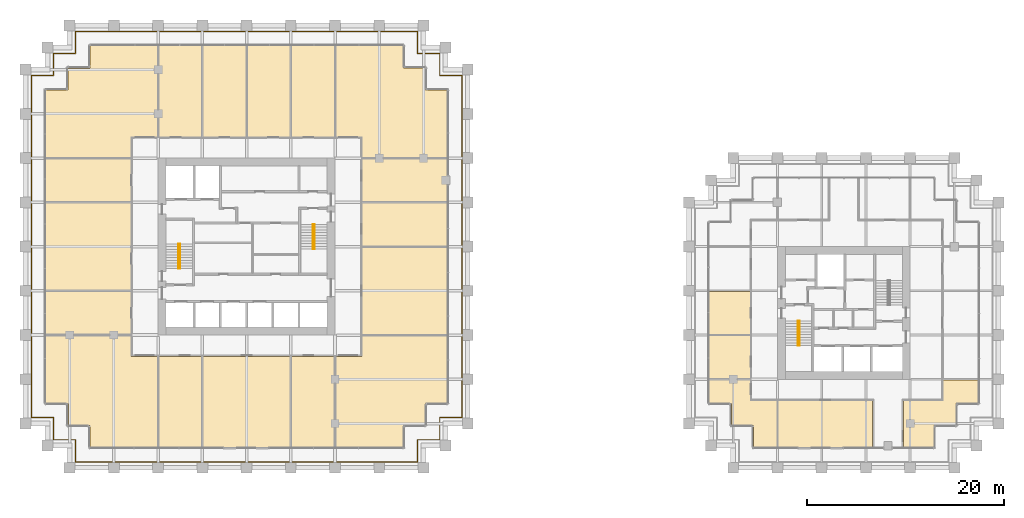
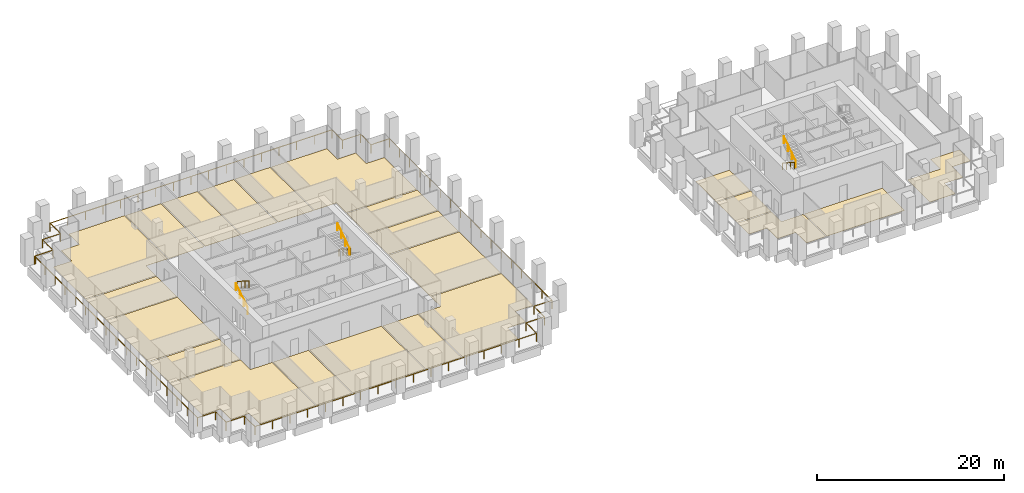
# One storey, part 55 of 56: 22 coverings, 7 railings.
"""IFC4 building model written with IfcOpenShell, lengths in metres."""

from ifc_helpers import new_model, si_unit, direction, frame, origin, origin_2d, place, context, subcontext, project, spatial, polyline, circle, outline, extrude, source, transform, mapped, material, layer, layer_set, type_object, element, save


model = new_model("IFC4")

# Units and contexts
model_context = context("Model", 3, precision=1e-05, world=origin(), true_north=direction((0.0, 1.0)))
body_context = subcontext(model_context, "Body", "Model", "MODEL_VIEW")
ifc_project = project(units=[si_unit("LENGTHUNIT", "METRE"), si_unit("AREAUNIT", "SQUARE_METRE"), si_unit("VOLUMEUNIT", "CUBIC_METRE"), si_unit("PLANEANGLEUNIT", "RADIAN"), si_unit("MASSUNIT", "GRAM", prefix="KILO")], contexts=[model_context])

# Site, building, storey
site_placement = place(None, origin())
site = spatial("IfcSite", under=ifc_project, at=site_placement, CompositionType="ELEMENT")
building_placement = place(site_placement, origin())
building = spatial("IfcBuilding", under=site, at=building_placement, Name="Altepetl Exchange Towers", CompositionType="ELEMENT")
storey_placement = place(building_placement, frame((0.0, 0.0, 54.60009765625)))
storey = spatial("IfcBuildingStorey", under=building, at=storey_placement, Name="L12", CompositionType="ELEMENT", Elevation=54.60009765625)

# Coverings
ifc_material_1 = material(Name="Carpet tile")
ifc_layer_1 = layer(ifc_material_1, 0.02001953125)
ifc_layer_set_1 = layer_set([ifc_layer_1], Name="Carpet tile")
covering_type_1 = type_object("IfcCoveringType", Name="Carpet tile floor", PredefinedType="FLOORING", material=ifc_layer_set_1)
covering_1_placement = place(storey_placement, origin())
element("IfcCovering", 1, at=covering_1_placement, inside=storey, type_object=covering_type_1, Name="Print room floor finish A12.01", PredefinedType="FLOORING", context=body_context, shape_type="SweptSolid", body=[
    extrude(outline(polyline([(37.737548828125, 44.9375), (29.0625, 44.9375), (29.0625, 40.5625), (37.737548828125, 40.5625), (37.737548828125, 44.9375)])), origin(), (0.0, 0.0, 1.0), 0.02001953125),
])
covering_2_placement = place(storey_placement, origin())
element("IfcCovering", 2, at=covering_2_placement, inside=storey, type_object=covering_type_1, Name="Open office floor finish A12.05", PredefinedType="FLOORING", context=body_context, shape_type="SweptSolid", body=[
    extrude(outline(polyline([(58.4375, 29.0625), (58.4375, 38.33740234375), (54.0625, 38.33740234375), (54.0625, 29.0625), (58.4375, 29.0625)])), origin(), (0.0, 0.0, 1.0), 0.02001953125),
])
covering_3_placement = place(storey_placement, origin())
element("IfcCovering", 3, at=covering_3_placement, inside=storey, type_object=covering_type_1, Name="Open office floor finish A12.07", PredefinedType="FLOORING", context=body_context, shape_type="SweptSolid", body=[
    extrude(outline(polyline([(69.9375, 49.4375), (61.262451171875, 49.4375), (61.262451171875, 40.5625), (69.9375, 40.5625), (69.9375, 49.4375)])), origin(), (0.0, 0.0, 1.0), 0.02001953125),
])
covering_4_placement = place(storey_placement, origin())
element("IfcCovering", 4, at=covering_4_placement, inside=storey, type_object=covering_type_1, Name="Print room floor finish A12.08", PredefinedType="FLOORING", context=body_context, shape_type="SweptSolid", body=[
    extrude(outline(polyline([(69.9375, 53.9375), (61.262451171875, 53.9375), (61.262451171875, 49.5625), (69.9375, 49.5625), (69.9375, 53.9375)])), origin(), (0.0, 0.0, 1.0), 0.02001953125),
])
covering_5_placement = place(storey_placement, origin())
element("IfcCovering", 5, at=covering_5_placement, inside=storey, type_object=covering_type_1, Name="Print room floor finish A12.09", PredefinedType="FLOORING", context=body_context, shape_type="SweptSolid", body=[
    extrude(outline(polyline([(69.9375, 58.4375), (61.262451171875, 58.4375), (61.262451171875, 54.0625), (69.9375, 54.0625), (69.9375, 58.4375)])), origin(), (0.0, 0.0, 1.0), 0.02001953125),
])
covering_6_placement = place(storey_placement, origin())
element("IfcCovering", 6, at=covering_6_placement, inside=storey, type_object=covering_type_1, Name="Open office floor finish A12.12", PredefinedType="FLOORING", context=body_context, shape_type="SweptSolid", body=[
    extrude(outline(polyline([(49.5625, 69.9375), (49.5625, 60.66259765625), (53.9375, 60.66259765625), (53.9375, 69.9375), (49.5625, 69.9375)])), origin(), (0.0, 0.0, 1.0), 0.02001953125),
])
covering_7_placement = place(storey_placement, origin())
element("IfcCovering", 7, at=covering_7_placement, inside=storey, type_object=covering_type_1, Name="Open office floor finish A12.14", PredefinedType="FLOORING", context=body_context, shape_type="SweptSolid", body=[
    extrude(outline(polyline([(40.5625, 69.9375), (40.5625, 60.66259765625), (44.9375, 60.66259765625), (44.9375, 69.9375), (40.5625, 69.9375)])), origin(), (0.0, 0.0, 1.0), 0.02001953125),
])
covering_8_placement = place(storey_placement, origin())
element("IfcCovering", 8, at=covering_8_placement, inside=storey, type_object=covering_type_1, Name="Print room floor finish A12.16", PredefinedType="FLOORING", context=body_context, shape_type="SweptSolid", body=[
    extrude(outline(polyline([(37.737548828125, 58.4375), (29.0625, 58.4375), (29.0625, 54.0625), (37.737548828125, 54.0625), (37.737548828125, 58.4375)])), origin(), (0.0, 0.0, 1.0), 0.02001953125),
])
covering_9_placement = place(storey_placement, origin())
element("IfcCovering", 9, at=covering_9_placement, inside=storey, type_object=covering_type_1, Name="Huddle room floor finish B12.01", PredefinedType="FLOORING", context=body_context, shape_type="SweptSolid", body=[
    extrude(outline(polyline([(100.737548828125, 44.9375), (96.5625, 44.9375), (96.5625, 40.5625), (100.737548828125, 40.5625), (100.737548828125, 44.9375)])), origin(), (0.0, 0.0, 1.0), 0.02001953125),
])
covering_10_placement = place(storey_placement, origin())
element("IfcCovering", 10, at=covering_10_placement, inside=storey, type_object=covering_type_1, Name="Huddle room floor finish B12.02", PredefinedType="FLOORING", context=body_context, shape_type="SweptSolid", body=[
    extrude(outline(polyline([(100.737548828125, 40.4375), (96.5625, 40.4375), (96.5625, 36.0625), (100.737548828125, 36.0625), (100.737548828125, 40.4375)])), origin(), (0.0, 0.0, 1.0), 0.02001953125),
])
covering_11_placement = place(storey_placement, origin())
element("IfcCovering", 11, at=covering_11_placement, inside=storey, type_object=covering_type_1, Name="Open office floor finish B12.05", PredefinedType="FLOORING", context=body_context, shape_type="SweptSolid", body=[
    extrude(outline(polyline([(116.3125, 33.83740234375), (116.3125, 29.0625), (119.4375, 29.0625), (119.4375, 31.3125), (121.6875, 31.3125), (121.6875, 33.5625), (123.9375, 33.5625), (123.9375, 35.9375), (120.362548828125, 35.9375), (120.362548828125, 33.83740234375), (116.3125, 33.83740234375)])), origin(), (0.0, 0.0, 1.0), 0.02001953125),
])
ifc_material_2 = material(Name="Cantera stone", Category="masonry")
ifc_layer_2 = layer(ifc_material_2, 0.030029296875)
ifc_layer_set_2 = layer_set([ifc_layer_2], Name="Cantera stone")
covering_type_2 = type_object("IfcCoveringType", Name="Polished stone floor", PredefinedType="FLOORING", material=ifc_layer_set_2)
covering_12_placement = place(storey_placement, origin())
element("IfcCovering", 12, at=covering_12_placement, inside=storey, type_object=covering_type_2, Name="Staff club floor finish A12.10", PredefinedType="FLOORING", context=body_context, shape_type="SweptSolid", body=[
    extrude(outline(polyline([(65.4375, 69.9375), (58.5625, 69.9375), (58.5625, 60.66259765625), (61.262451171875, 60.66259765625), (61.262451171875, 58.5625), (69.9375, 58.5625), (69.9375, 65.4375), (67.6875, 65.4375), (67.6875, 67.6875), (65.4375, 67.6875), (65.4375, 69.9375)])), origin(), (0.0, 0.0, 1.0), 0.02978515625),
])
covering_13_placement = place(storey_placement, origin())
element("IfcCovering", 13, at=covering_13_placement, inside=storey, type_object=covering_type_2, Name="Staff club floor finish A12.15", PredefinedType="FLOORING", context=body_context, shape_type="SweptSolid", body=[
    extrude(outline(polyline([(40.4375, 60.66259765625), (40.4375, 69.9375), (33.5625, 69.9375), (33.5625, 67.6875), (31.3125, 67.6875), (31.3125, 65.4375), (29.0625, 65.4375), (29.0625, 58.5625), (37.737548828125, 58.5625), (37.737548828125, 60.66259765625), (40.4375, 60.66259765625)])), origin(), (0.0, 0.0, 1.0), 0.02978515625),
])
covering_14_placement = place(storey_placement, origin())
element("IfcCovering", 14, at=covering_14_placement, inside=storey, type_object=covering_type_2, Name="Staff club floor finish B12.03", PredefinedType="FLOORING", context=body_context, shape_type="SweptSolid", body=[
    extrude(outline(polyline([(100.737548828125, 35.9375), (96.5625, 35.9375), (96.5625, 33.5625), (98.8125, 33.5625), (98.8125, 31.3125), (101.0625, 31.3125), (101.0625, 29.0625), (103.4375, 29.0625), (103.4375, 33.83740234375), (100.737548828125, 33.83740234375), (100.737548828125, 35.9375)])), origin(), (0.0, 0.0, 1.0), 0.02978515625),
])
ifc_material_3 = material(Name="Calcium sulphate access floor panel")
ifc_layer_3 = layer(ifc_material_3, 0.0400390625)
ifc_layer_set_3 = layer_set([ifc_layer_3], Name="Calcium sulphate access floor panel")
covering_type_3 = type_object("IfcCoveringType", Name="Raised access floor panels", PredefinedType="FLOORING", material=ifc_layer_set_3)
covering_15_placement = place(storey_placement, origin())
element("IfcCovering", 15, at=covering_15_placement, inside=storey, type_object=covering_type_3, Name="Bank office floor finish A12.02", PredefinedType="FLOORING", context=body_context, shape_type="SweptSolid", body=[
    extrude(outline(polyline([(40.4375, 29.0625), (40.4375, 38.33740234375), (37.737548828125, 38.33740234375), (37.737548828125, 40.4375), (29.0625, 40.4375), (29.0625, 33.5625), (31.3125, 33.5625), (31.3125, 31.3125), (33.5625, 31.3125), (33.5625, 29.0625), (40.4375, 29.0625)])), origin(), (0.0, 0.0, 1.0), 0.039794921875),
])
covering_16_placement = place(storey_placement, origin())
element("IfcCovering", 16, at=covering_16_placement, inside=storey, type_object=covering_type_3, Name="Treasury office floor finish A12.03", PredefinedType="FLOORING", context=body_context, shape_type="SweptSolid", body=[
    extrude(outline(polyline([(44.9375, 29.0625), (44.9375, 38.33740234375), (40.5625, 38.33740234375), (40.5625, 29.0625), (44.9375, 29.0625)])), origin(), (0.0, 0.0, 1.0), 0.039794921875),
])
covering_17_placement = place(storey_placement, origin())
element("IfcCovering", 17, at=covering_17_placement, inside=storey, type_object=covering_type_3, Name="Treasury office floor finish A12.04", PredefinedType="FLOORING", context=body_context, shape_type="SweptSolid", body=[
    extrude(outline(polyline([(53.9375, 29.0625), (53.9375, 38.33740234375), (45.0625, 38.33740234375), (45.0625, 29.0625), (53.9375, 29.0625)])), origin(), (0.0, 0.0, 1.0), 0.039794921875),
])
covering_18_placement = place(storey_placement, origin())
element("IfcCovering", 18, at=covering_18_placement, inside=storey, type_object=covering_type_3, Name="Bank office floor finish A12.06", PredefinedType="FLOORING", context=body_context, shape_type="SweptSolid", body=[
    extrude(outline(polyline([(69.9375, 40.4375), (61.262451171875, 40.4375), (61.262451171875, 38.33740234375), (58.5625, 38.33740234375), (58.5625, 29.0625), (65.4375, 29.0625), (65.4375, 31.3125), (67.6875, 31.3125), (67.6875, 33.5625), (69.9375, 33.5625), (69.9375, 40.4375)])), origin(), (0.0, 0.0, 1.0), 0.039794921875),
])
covering_19_placement = place(storey_placement, origin())
element("IfcCovering", 19, at=covering_19_placement, inside=storey, type_object=covering_type_3, Name="Treasury office floor finish A12.11", PredefinedType="FLOORING", context=body_context, shape_type="SweptSolid", body=[
    extrude(outline(polyline([(54.0625, 69.9375), (54.0625, 60.66259765625), (58.4375, 60.66259765625), (58.4375, 69.9375), (54.0625, 69.9375)])), origin(), (0.0, 0.0, 1.0), 0.039794921875),
])
covering_20_placement = place(storey_placement, origin())
element("IfcCovering", 20, at=covering_20_placement, inside=storey, type_object=covering_type_3, Name="Treasury office floor finish A12.13", PredefinedType="FLOORING", context=body_context, shape_type="SweptSolid", body=[
    extrude(outline(polyline([(45.0625, 69.9375), (45.0625, 60.66259765625), (49.4375, 60.66259765625), (49.4375, 69.9375), (45.0625, 69.9375)])), origin(), (0.0, 0.0, 1.0), 0.039794921875),
])
covering_21_placement = place(storey_placement, origin())
element("IfcCovering", 21, at=covering_21_placement, inside=storey, type_object=covering_type_3, Name="Bank office floor finish A12.17", PredefinedType="FLOORING", context=body_context, shape_type="SweptSolid", body=[
    extrude(outline(polyline([(37.737548828125, 53.9375), (29.0625, 53.9375), (29.0625, 45.0625), (37.737548828125, 45.0625), (37.737548828125, 53.9375)])), origin(), (0.0, 0.0, 1.0), 0.039794921875),
])
covering_22_placement = place(storey_placement, origin())
element("IfcCovering", 22, at=covering_22_placement, inside=storey, type_object=covering_type_3, Name="Clearing office floor finish B12.04", PredefinedType="FLOORING", context=body_context, shape_type="SweptSolid", body=[
    extrude(outline(polyline([(113.1875, 33.83740234375), (103.5625, 33.83740234375), (103.5625, 29.0625), (113.1875, 29.0625), (113.1875, 33.83740234375)])), origin(), (0.0, 0.0, 1.0), 0.039794921875),
])

# Railings
ifc_material_4 = material(Name="Steel S355", Category="steel")
railing_type_1 = type_object("IfcRailingType", Name="Guard 1100 steel posts and rail", PredefinedType="GUARDRAIL", material=ifc_material_4)
shared_shape_1 = source(origin(), body_context, "Body", "SweptSolid", [
    extrude(circle(Radius=0.02099609375, at=origin_2d()), origin(), (0.0, 0.0, 1.0), 1.052001953125),
])
railing_1_placement = place(storey_placement, frame((27.60009765625, 66.89990234375, 0.0)))
element("IfcRailing", 23, at=railing_1_placement, inside=storey, type_object=railing_type_1, Name="Loggia guard", PredefinedType="GUARDRAIL", context=body_context, shape_type="SweptSolid", body=[
    extrude(circle(Radius=0.02392578125, at=origin_2d()), frame((0.0, 0.0, 1.076171875), z_axis=(0.0, -1.0, 0.0), x_axis=(1.0, 0.0, 0.0)), (0.0, 0.0, 1.0), 34.7998046875),
    extrude(circle(Radius=0.02392578125, at=origin_2d()), frame((0.0, -34.7998046875, 1.076171875), z_axis=(1.0, 0.0, 0.0), x_axis=(0.0, 1.0, 0.0)), (0.0, 0.0, 1.0), 2.25),
    extrude(circle(Radius=0.02392578125, at=origin_2d()), frame((2.25, -34.7998046875, 1.076171875), z_axis=(0.0, -1.0, 0.0), x_axis=(1.0, 0.0, 0.0)), (0.0, 0.0, 1.0), 2.25),
    extrude(circle(Radius=0.02392578125, at=origin_2d()), frame((2.25, -37.0498046875, 1.076171875), z_axis=(1.0, 0.0, 0.0), x_axis=(0.0, 1.0, 0.0)), (0.0, 0.0, 1.0), 2.25),
    extrude(circle(Radius=0.02392578125, at=origin_2d()), frame((4.5, -37.0498046875, 1.076171875), z_axis=(0.0, -1.0, 0.0), x_axis=(1.0, 0.0, 0.0)), (0.0, 0.0, 1.0), 2.25),
    extrude(circle(Radius=0.02392578125, at=origin_2d()), frame((4.5, -39.2998046875, 1.076171875), z_axis=(1.0, 0.0, 0.0), x_axis=(0.0, 1.0, 0.0)), (0.0, 0.0, 1.0), 34.7998046875),
    extrude(circle(Radius=0.02392578125, at=origin_2d()), frame((39.2998046875, -39.2998046875, 1.076171875), z_axis=(0.0, 1.0, 0.0), x_axis=(-1.0, 0.0, 0.0)), (0.0, 0.0, 1.0), 2.25),
    extrude(circle(Radius=0.02392578125, at=origin_2d()), frame((39.2998046875, -37.0498046875, 1.076171875), z_axis=(1.0, 0.0, 0.0), x_axis=(0.0, 1.0, 0.0)), (0.0, 0.0, 1.0), 2.25),
    extrude(circle(Radius=0.02392578125, at=origin_2d()), frame((41.5498046875, -37.0498046875, 1.076171875), z_axis=(0.0, 1.0, 0.0), x_axis=(-1.0, 0.0, 0.0)), (0.0, 0.0, 1.0), 2.25),
    extrude(circle(Radius=0.02392578125, at=origin_2d()), frame((41.5498046875, -34.7998046875, 1.076171875), z_axis=(1.0, 0.0, 0.0), x_axis=(0.0, 1.0, 0.0)), (0.0, 0.0, 1.0), 2.25),
    extrude(circle(Radius=0.02392578125, at=origin_2d()), frame((43.7998046875, -34.7998046875, 1.076171875), z_axis=(0.0, 1.0, 0.0), x_axis=(-1.0, 0.0, 0.0)), (0.0, 0.0, 1.0), 34.7998046875),
    extrude(circle(Radius=0.02392578125, at=origin_2d()), frame((43.7998046875, 0.0, 1.076171875), z_axis=(-1.0, 0.0, 0.0), x_axis=(0.0, -1.0, 0.0)), (0.0, 0.0, 1.0), 2.25),
    extrude(circle(Radius=0.02392578125, at=origin_2d()), frame((41.5498046875, 0.0, 1.076171875), z_axis=(0.0, 1.0, 0.0), x_axis=(-1.0, 0.0, 0.0)), (0.0, 0.0, 1.0), 2.25),
    extrude(circle(Radius=0.02392578125, at=origin_2d()), frame((41.5498046875, 2.25, 1.076171875), z_axis=(-1.0, 0.0, 0.0), x_axis=(0.0, -1.0, 0.0)), (0.0, 0.0, 1.0), 2.25),
    extrude(circle(Radius=0.02392578125, at=origin_2d()), frame((39.2998046875, 2.25, 1.076171875), z_axis=(0.0, 1.0, 0.0), x_axis=(-1.0, 0.0, 0.0)), (0.0, 0.0, 1.0), 2.25),
    extrude(circle(Radius=0.02392578125, at=origin_2d()), frame((39.2998046875, 4.5, 1.076171875), z_axis=(-1.0, 0.0, 0.0), x_axis=(0.0, -1.0, 0.0)), (0.0, 0.0, 1.0), 34.7998046875),
    extrude(circle(Radius=0.02392578125, at=origin_2d()), frame((4.5, 4.5, 1.076171875), z_axis=(0.0, -1.0, 0.0), x_axis=(1.0, 0.0, 0.0)), (0.0, 0.0, 1.0), 2.25),
    extrude(circle(Radius=0.02392578125, at=origin_2d()), frame((4.5, 2.25, 1.076171875), z_axis=(-1.0, 0.0, 0.0), x_axis=(0.0, -1.0, 0.0)), (0.0, 0.0, 1.0), 2.25),
    extrude(circle(Radius=0.02392578125, at=origin_2d()), frame((2.25, 2.25, 1.076171875), z_axis=(0.0, -1.0, 0.0), x_axis=(1.0, 0.0, 0.0)), (0.0, 0.0, 1.0), 2.25),
    extrude(circle(Radius=0.02392578125, at=origin_2d()), frame((2.25, 0.0, 1.076171875), z_axis=(-1.0, 0.0, 0.0), x_axis=(0.0, -1.0, 0.0)), (0.0, 0.0, 1.0), 2.150146484375),
    mapped(shared_shape_1, transform((0.0, 0.0, 0.0))),
    mapped(shared_shape_1, transform((0.0, -2.175048828125, 0.0))),
    mapped(shared_shape_1, transform((0.0, -4.35009765625, 0.0))),
    mapped(shared_shape_1, transform((0.0, -6.52490234375, 0.0))),
    mapped(shared_shape_1, transform((0.0, -8.699951171875, 0.0))),
    mapped(shared_shape_1, transform((0.0, -10.875, 0.0))),
    mapped(shared_shape_1, transform((0.0, -13.0498046875, 0.0))),
    mapped(shared_shape_1, transform((0.0, -15.224853515625, 0.0))),
    mapped(shared_shape_1, transform((0.0, -17.39990234375, 0.0))),
    mapped(shared_shape_1, transform((0.0, -19.574951171875, 0.0))),
    mapped(shared_shape_1, transform((0.0, -21.75, 0.0))),
    mapped(shared_shape_1, transform((0.0, -23.9248046875, 0.0))),
    mapped(shared_shape_1, transform((0.0, -26.099853515625, 0.0))),
    mapped(shared_shape_1, transform((0.0, -28.27490234375, 0.0))),
    mapped(shared_shape_1, transform((0.0, -30.44970703125, 0.0))),
    mapped(shared_shape_1, transform((0.0, -32.624755859375, 0.0))),
    mapped(shared_shape_1, transform((0.0, -34.7998046875, 0.0))),
    mapped(shared_shape_1, transform((2.25, -34.7998046875, 0.0))),
    mapped(shared_shape_1, transform((2.25, -37.0498046875, 0.0))),
    mapped(shared_shape_1, transform((4.5, -37.0498046875, 0.0))),
    mapped(shared_shape_1, transform((4.5, -39.2998046875, 0.0))),
    mapped(shared_shape_1, transform((6.675048828125, -39.2998046875, 0.0))),
    mapped(shared_shape_1, transform((8.85009765625, -39.2998046875, 0.0))),
    mapped(shared_shape_1, transform((11.02490234375, -39.2998046875, 0.0))),
    mapped(shared_shape_1, transform((13.199951171875, -39.2998046875, 0.0))),
    mapped(shared_shape_1, transform((15.375, -39.2998046875, 0.0))),
    mapped(shared_shape_1, transform((17.5498046875, -39.2998046875, 0.0))),
    mapped(shared_shape_1, transform((19.724853515625, -39.2998046875, 0.0))),
    mapped(shared_shape_1, transform((21.89990234375, -39.2998046875, 0.0))),
    mapped(shared_shape_1, transform((24.074951171875, -39.2998046875, 0.0))),
    mapped(shared_shape_1, transform((26.25, -39.2998046875, 0.0))),
    mapped(shared_shape_1, transform((28.4248046875, -39.2998046875, 0.0))),
    mapped(shared_shape_1, transform((30.599853515625, -39.2998046875, 0.0))),
    mapped(shared_shape_1, transform((32.77490234375, -39.2998046875, 0.0))),
    mapped(shared_shape_1, transform((34.94970703125, -39.2998046875, 0.0))),
    mapped(shared_shape_1, transform((37.124755859375, -39.2998046875, 0.0))),
    mapped(shared_shape_1, transform((39.2998046875, -39.2998046875, 0.0))),
    mapped(shared_shape_1, transform((39.2998046875, -37.0498046875, 0.0))),
    mapped(shared_shape_1, transform((41.5498046875, -37.0498046875, 0.0))),
    mapped(shared_shape_1, transform((41.5498046875, -34.7998046875, 0.0))),
    mapped(shared_shape_1, transform((43.7998046875, -34.7998046875, 0.0))),
    mapped(shared_shape_1, transform((43.7998046875, -32.624755859375, 0.0))),
    mapped(shared_shape_1, transform((43.7998046875, -30.44970703125, 0.0))),
    mapped(shared_shape_1, transform((43.7998046875, -28.27490234375, 0.0))),
    mapped(shared_shape_1, transform((43.7998046875, -26.099853515625, 0.0))),
    mapped(shared_shape_1, transform((43.7998046875, -23.9248046875, 0.0))),
    mapped(shared_shape_1, transform((43.7998046875, -21.75, 0.0))),
    mapped(shared_shape_1, transform((43.7998046875, -19.574951171875, 0.0))),
    mapped(shared_shape_1, transform((43.7998046875, -17.39990234375, 0.0))),
    mapped(shared_shape_1, transform((43.7998046875, -15.224853515625, 0.0))),
    mapped(shared_shape_1, transform((43.7998046875, -13.0498046875, 0.0))),
    mapped(shared_shape_1, transform((43.7998046875, -10.875, 0.0))),
    mapped(shared_shape_1, transform((43.7998046875, -8.699951171875, 0.0))),
    mapped(shared_shape_1, transform((43.7998046875, -6.52490234375, 0.0))),
    mapped(shared_shape_1, transform((43.7998046875, -4.35009765625, 0.0))),
    mapped(shared_shape_1, transform((43.7998046875, -2.175048828125, 0.0))),
    mapped(shared_shape_1, transform((43.7998046875, 0.0, 0.0))),
    mapped(shared_shape_1, transform((41.5498046875, 0.0, 0.0))),
    mapped(shared_shape_1, transform((41.5498046875, 2.25, 0.0))),
    mapped(shared_shape_1, transform((39.2998046875, 2.25, 0.0))),
    mapped(shared_shape_1, transform((39.2998046875, 4.5, 0.0))),
    mapped(shared_shape_1, transform((37.124755859375, 4.5, 0.0))),
    mapped(shared_shape_1, transform((34.94970703125, 4.5, 0.0))),
    mapped(shared_shape_1, transform((32.77490234375, 4.5, 0.0))),
    mapped(shared_shape_1, transform((30.599853515625, 4.5, 0.0))),
    mapped(shared_shape_1, transform((28.4248046875, 4.5, 0.0))),
    mapped(shared_shape_1, transform((26.25, 4.5, 0.0))),
    mapped(shared_shape_1, transform((24.074951171875, 4.5, 0.0))),
    mapped(shared_shape_1, transform((21.89990234375, 4.5, 0.0))),
    mapped(shared_shape_1, transform((19.724853515625, 4.5, 0.0))),
    mapped(shared_shape_1, transform((17.5498046875, 4.5, 0.0))),
    mapped(shared_shape_1, transform((15.375, 4.5, 0.0))),
    mapped(shared_shape_1, transform((13.199951171875, 4.5, 0.0))),
    mapped(shared_shape_1, transform((11.02490234375, 4.5, 0.0))),
    mapped(shared_shape_1, transform((8.85009765625, 4.5, 0.0))),
    mapped(shared_shape_1, transform((6.675048828125, 4.5, 0.0))),
    mapped(shared_shape_1, transform((4.5, 4.5, 0.0))),
    mapped(shared_shape_1, transform((4.5, 2.25, 0.0))),
    mapped(shared_shape_1, transform((2.25, 2.25, 0.0))),
    mapped(shared_shape_1, transform((2.25, 0.0, 0.0))),
    mapped(shared_shape_1, transform((0.099853515625, 0.0, 0.0))),
])
ifc_material_5 = material(Name="Steel", Category="steel")
railing_type_2 = type_object("IfcRailingType", Name="Stair handrail 50 steel tube", PredefinedType="HANDRAIL", material=ifc_material_5)
shared_shape_2 = source(origin(), body_context, "Body", "SweptSolid", [
    extrude(circle(Radius=0.02099609375, at=origin_2d()), origin(), (0.0, 0.0, 1.0), 0.851806640625),
])
railing_2_placement = place(storey_placement, frame((42.570068359375, 47.25, 0.179931640625)))
element("IfcRailing", 24, at=railing_2_placement, inside=storey, type_object=railing_type_2, Name="Stair handrail", PredefinedType="HANDRAIL", context=body_context, shape_type="SweptSolid", body=[
    extrude(circle(Radius=0.02392578125, at=origin_2d()), frame((0.0, 0.0, 0.8759765625), z_axis=(0.0, 0.841199657755, 0.540724639528), x_axis=(-1.0, 0.0, 0.0)), (0.0, 0.0, 1.0), 2.995849609375),
    mapped(shared_shape_2, transform((0.0, 0.0, 0.0))),
    mapped(shared_shape_2, transform((0.0, 0.840087890625, 0.5400390625))),
    mapped(shared_shape_2, transform((0.0, 1.679931640625, 1.079833984375))),
    mapped(shared_shape_2, transform((0.0, 2.52001953125, 1.619873046875))),
])
for number, where, name in (
    (25, (42.72998046875, 49.77001953125, 1.97998046875), "Stair handrail"),
    (26, (56.429931640625, 51.75, 0.179931640625), "Stair handrail"),
):
    element("IfcRailing", number, at=place(storey_placement, frame(where)), inside=storey, type_object=railing_type_2, Name=name, PredefinedType="HANDRAIL", context=body_context, shape_type="SweptSolid", body=[
        extrude(circle(Radius=0.02392578125, at=origin_2d()), frame((0.0, 0.0, 0.8759765625), z_axis=(0.0, -0.841199657755, 0.540724639528), x_axis=(1.0, 0.0, 0.0)), (0.0, 0.0, 1.0), 2.995849609375),
        mapped(shared_shape_2, transform((0.0, 0.0, 0.0))),
        mapped(shared_shape_2, transform((0.0, -0.840087890625, 0.5400390625))),
        mapped(shared_shape_2, transform((0.0, -1.679931640625, 1.079833984375))),
        mapped(shared_shape_2, transform((0.0, -2.52001953125, 1.619873046875))),
    ])
railing_3_placement = place(storey_placement, frame((56.27001953125, 49.22998046875, 1.97998046875)))
element("IfcRailing", 27, at=railing_3_placement, inside=storey, type_object=railing_type_2, Name="Stair handrail", PredefinedType="HANDRAIL", context=body_context, shape_type="SweptSolid", body=[
    extrude(circle(Radius=0.02392578125, at=origin_2d()), frame((0.0, 0.0, 0.8759765625), z_axis=(0.0, 0.841199657755, 0.540724639528), x_axis=(-1.0, 0.0, 0.0)), (0.0, 0.0, 1.0), 2.995849609375),
    mapped(shared_shape_2, transform((0.0, 0.0, 0.0))),
    mapped(shared_shape_2, transform((0.0, 0.840087890625, 0.5400390625))),
    mapped(shared_shape_2, transform((0.0, 1.679931640625, 1.079833984375))),
    mapped(shared_shape_2, transform((0.0, 2.52001953125, 1.619873046875))),
])
railing_4_placement = place(storey_placement, frame((105.570068359375, 41.949951171875, 0.179931640625)))
element("IfcRailing", 28, at=railing_4_placement, inside=storey, type_object=railing_type_2, Name="Stair handrail", PredefinedType="HANDRAIL", context=body_context, shape_type="SweptSolid", body=[
    extrude(circle(Radius=0.02392578125, at=origin_2d()), frame((0.0, 0.0, 0.8759765625), z_axis=(0.0, -0.841199657755, 0.540724639528), x_axis=(1.0, 0.0, 0.0)), (0.0, 0.0, 1.0), 2.995849609375),
    mapped(shared_shape_2, transform((0.0, 0.0, 0.0))),
    mapped(shared_shape_2, transform((0.0, -0.840087890625, 0.5400390625))),
    mapped(shared_shape_2, transform((0.0, -1.679931640625, 1.079833984375))),
    mapped(shared_shape_2, transform((0.0, -2.52001953125, 1.619873046875))),
])
railing_5_placement = place(storey_placement, frame((105.72998046875, 39.429931640625, 1.97998046875)))
element("IfcRailing", 29, at=railing_5_placement, inside=storey, type_object=railing_type_2, Name="Stair handrail", PredefinedType="HANDRAIL", context=body_context, shape_type="SweptSolid", body=[
    extrude(circle(Radius=0.02392578125, at=origin_2d()), frame((0.0, 0.0, 0.8759765625), z_axis=(0.0, 0.841199657755, 0.540724639528), x_axis=(-1.0, 0.0, 0.0)), (0.0, 0.0, 1.0), 2.995849609375),
    mapped(shared_shape_2, transform((0.0, 0.0, 0.0))),
    mapped(shared_shape_2, transform((0.0, 0.840087890625, 0.5400390625))),
    mapped(shared_shape_2, transform((0.0, 1.679931640625, 1.079833984375))),
    mapped(shared_shape_2, transform((0.0, 2.52001953125, 1.619873046875))),
])

save(model, "model.ifc")
